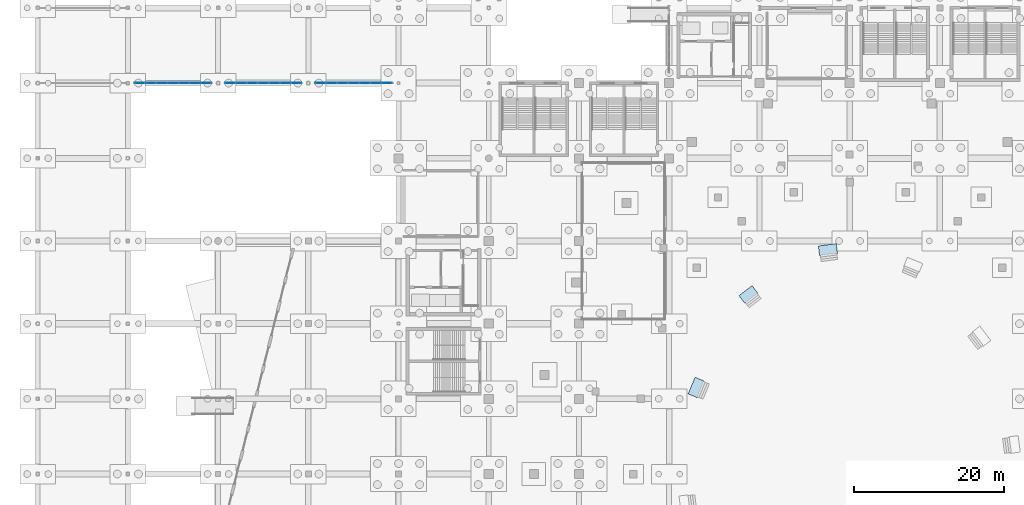
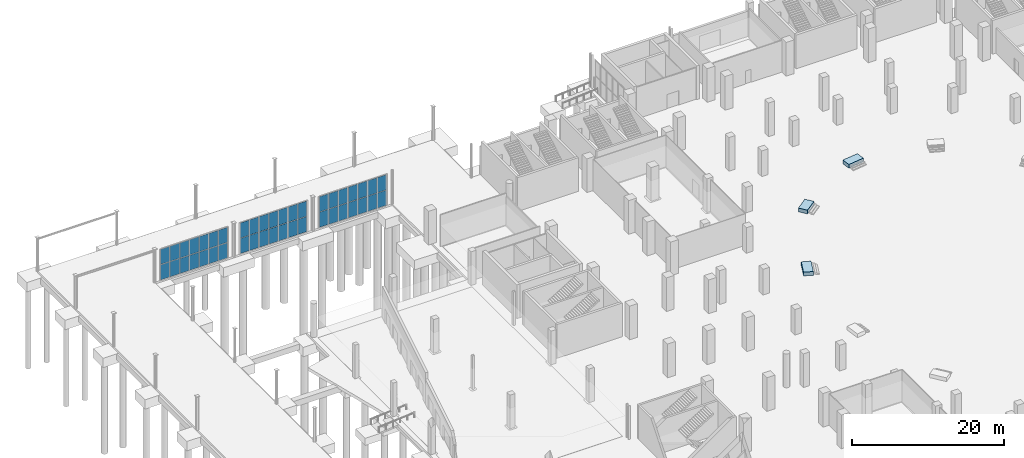
# One storey, part 42 of 70: 42 plates, 3 slabs, 3 elements without a shape of their own.
"""IFC4 building model written with IfcOpenShell, lengths in metres."""

from ifc_helpers import new_model, si_unit, direction, frame, origin, origin_2d, place, context, subcontext, project, spatial, polyline, rectangle, outline, extrude, material, layer, layer_set, type_object, element, aggregate, save


model = new_model("IFC4")

# Units and contexts
model_context = context("Model", 3, precision=1e-05, world=origin(), true_north=direction((0.0, 1.0)))
body_context = subcontext(model_context, "Body", "Model", "MODEL_VIEW")
ifc_project = project(units=[si_unit("LENGTHUNIT", "METRE"), si_unit("AREAUNIT", "SQUARE_METRE"), si_unit("VOLUMEUNIT", "CUBIC_METRE"), si_unit("PLANEANGLEUNIT", "RADIAN"), si_unit("MASSUNIT", "GRAM", prefix="KILO")], contexts=[model_context])

# Site, building, storey
site_placement = place(None, origin())
site = spatial("IfcSite", under=ifc_project, at=site_placement, CompositionType="ELEMENT")
building_placement = place(site_placement, origin())
building = spatial("IfcBuilding", under=site, at=building_placement, Name="Brinegate Civic Arena", CompositionType="ELEMENT")
storey_placement = place(building_placement, origin())
storey = spatial("IfcBuildingStorey", under=building, at=storey_placement, Name="L00", CompositionType="ELEMENT", Elevation=0.0)

# Curtain wall, plates
ifc_material_1 = material(Name="Marine grade aluminium", Category="aluminium")
ifc_layer_1 = layer(ifc_material_1, 0.215087890625, Name="Marine grade aluminium")
ifc_layer_set_1 = layer_set([ifc_layer_1], Name="Marine grade aluminium")
curtain_wall_type = type_object("IfcCurtainWallType", Name="CW-FOYER-GLAZED-02", PredefinedType="USERDEFINED", material=ifc_layer_set_1)
curtain_wall_1_placement = place(storey_placement, origin())
curtain_wall_1 = element("IfcCurtainWall", 1, at=curtain_wall_1_placement, inside=storey, type_object=curtain_wall_type, Name="Curtain Wall CWA-005", ObjectType="GLAZED CURTAIN WALL", PredefinedType="USERDEFINED")
ifc_material_2 = material(Name="Hurricane laminated low-E glass", Category="glass")
ifc_layer_2 = layer(ifc_material_2, 0.031982421875, Name="Hurricane laminated low-E glass")
ifc_layer_set_2 = layer_set([ifc_layer_2], Name="Hurricane laminated low-E glass")
plate_type_1 = type_object("IfcPlateType", Name="CW-PANEL-GLAZED-32", PredefinedType="CURTAIN_PANEL", material=ifc_layer_set_2)
plate_1_placement = place(storey_placement, frame((13.588134765625, 114.0, 0.074951171875), z_axis=(0.0, 0.0, 1.0), x_axis=(1.0, 0.0, 0.0)))
plate_1 = element("IfcPlate", 2, at=plate_1_placement, type_object=plate_type_1, Name="CWA-005 panel 1.1", PredefinedType="CURTAIN_PANEL", context=body_context, shape_type="SweptSolid", body=[
    extrude(rectangle(XDim=1.37255859375, YDim=0.031982421875, at=origin_2d()), origin(), (0.0, 0.0, 1.0), 2.41748046875),
])
plate_2_placement = place(storey_placement, frame((13.588134765625, 114.0, 2.567626953125), z_axis=(0.0, 0.0, 1.0), x_axis=(1.0, 0.0, 0.0)))
plate_2 = element("IfcPlate", 3, at=plate_2_placement, type_object=plate_type_1, Name="CWA-005 panel 1.2", PredefinedType="CURTAIN_PANEL", context=body_context, shape_type="SweptSolid", body=[
    extrude(rectangle(XDim=1.37255859375, YDim=0.031982421875, at=origin_2d()), origin(), (0.0, 0.0, 1.0), 2.41748046875),
])
plate_3_placement = place(storey_placement, frame((15.0419921875, 114.0, 0.074951171875), z_axis=(0.0, 0.0, 1.0), x_axis=(1.0, 0.0, 0.0)))
plate_3 = element("IfcPlate", 4, at=plate_3_placement, type_object=plate_type_1, Name="CWA-005 panel 2.1", PredefinedType="CURTAIN_PANEL", context=body_context, shape_type="SweptSolid", body=[
    extrude(rectangle(XDim=1.405029296875, YDim=0.031982421875, at=origin_2d()), origin(), (0.0, 0.0, 1.0), 2.41748046875),
])
plate_4_placement = place(storey_placement, frame((15.0419921875, 114.0, 2.567626953125), z_axis=(0.0, 0.0, 1.0), x_axis=(1.0, 0.0, 0.0)))
plate_4 = element("IfcPlate", 5, at=plate_4_placement, type_object=plate_type_1, Name="CWA-005 panel 2.2", PredefinedType="CURTAIN_PANEL", context=body_context, shape_type="SweptSolid", body=[
    extrude(rectangle(XDim=1.405029296875, YDim=0.031982421875, at=origin_2d()), origin(), (0.0, 0.0, 1.0), 2.41748046875),
])
plate_5_placement = place(storey_placement, frame((16.511962890625, 114.0, 0.074951171875), z_axis=(0.0, 0.0, 1.0), x_axis=(1.0, 0.0, 0.0)))
plate_5 = element("IfcPlate", 6, at=plate_5_placement, type_object=plate_type_1, Name="CWA-005 panel 3.1", PredefinedType="CURTAIN_PANEL", context=body_context, shape_type="SweptSolid", body=[
    extrude(rectangle(XDim=1.405029296875, YDim=0.031982421875, at=origin_2d()), origin(), (0.0, 0.0, 1.0), 2.41748046875),
])
plate_6_placement = place(storey_placement, frame((16.511962890625, 114.0, 2.567626953125), z_axis=(0.0, 0.0, 1.0), x_axis=(1.0, 0.0, 0.0)))
plate_6 = element("IfcPlate", 7, at=plate_6_placement, type_object=plate_type_1, Name="CWA-005 panel 3.2", PredefinedType="CURTAIN_PANEL", context=body_context, shape_type="SweptSolid", body=[
    extrude(rectangle(XDim=1.405029296875, YDim=0.031982421875, at=origin_2d()), origin(), (0.0, 0.0, 1.0), 2.41748046875),
])
plate_7_placement = place(storey_placement, frame((17.98193359375, 114.0, 0.074951171875), z_axis=(0.0, 0.0, 1.0), x_axis=(1.0, 0.0, 0.0)))
plate_7 = element("IfcPlate", 8, at=plate_7_placement, type_object=plate_type_1, Name="CWA-005 panel 4.1", PredefinedType="CURTAIN_PANEL", context=body_context, shape_type="SweptSolid", body=[
    extrude(rectangle(XDim=1.405029296875, YDim=0.031982421875, at=origin_2d()), origin(), (0.0, 0.0, 1.0), 2.41748046875),
])
plate_8_placement = place(storey_placement, frame((17.98193359375, 114.0, 2.567626953125), z_axis=(0.0, 0.0, 1.0), x_axis=(1.0, 0.0, 0.0)))
plate_8 = element("IfcPlate", 9, at=plate_8_placement, type_object=plate_type_1, Name="CWA-005 panel 4.2", PredefinedType="CURTAIN_PANEL", context=body_context, shape_type="SweptSolid", body=[
    extrude(rectangle(XDim=1.405029296875, YDim=0.031982421875, at=origin_2d()), origin(), (0.0, 0.0, 1.0), 2.41748046875),
])
plate_9_placement = place(storey_placement, frame((19.451904296875, 114.0, 0.074951171875), z_axis=(0.0, 0.0, 1.0), x_axis=(1.0, 0.0, 0.0)))
plate_9 = element("IfcPlate", 10, at=plate_9_placement, type_object=plate_type_1, Name="CWA-005 panel 5.1", PredefinedType="CURTAIN_PANEL", context=body_context, shape_type="SweptSolid", body=[
    extrude(rectangle(XDim=1.405029296875, YDim=0.031982421875, at=origin_2d()), origin(), (0.0, 0.0, 1.0), 2.41748046875),
])
plate_10_placement = place(storey_placement, frame((19.451904296875, 114.0, 2.567626953125), z_axis=(0.0, 0.0, 1.0), x_axis=(1.0, 0.0, 0.0)))
plate_10 = element("IfcPlate", 11, at=plate_10_placement, type_object=plate_type_1, Name="CWA-005 panel 5.2", PredefinedType="CURTAIN_PANEL", context=body_context, shape_type="SweptSolid", body=[
    extrude(rectangle(XDim=1.405029296875, YDim=0.031982421875, at=origin_2d()), origin(), (0.0, 0.0, 1.0), 2.41748046875),
])
plate_11_placement = place(storey_placement, frame((20.922119140625, 114.0, 0.074951171875), z_axis=(0.0, 0.0, 1.0), x_axis=(1.0, 0.0, 0.0)))
plate_11 = element("IfcPlate", 12, at=plate_11_placement, type_object=plate_type_1, Name="CWA-005 panel 6.1", PredefinedType="CURTAIN_PANEL", context=body_context, shape_type="SweptSolid", body=[
    extrude(rectangle(XDim=1.405029296875, YDim=0.031982421875, at=origin_2d()), origin(), (0.0, 0.0, 1.0), 2.41748046875),
])
plate_12_placement = place(storey_placement, frame((20.922119140625, 114.0, 2.567626953125), z_axis=(0.0, 0.0, 1.0), x_axis=(1.0, 0.0, 0.0)))
plate_12 = element("IfcPlate", 13, at=plate_12_placement, type_object=plate_type_1, Name="CWA-005 panel 6.2", PredefinedType="CURTAIN_PANEL", context=body_context, shape_type="SweptSolid", body=[
    extrude(rectangle(XDim=1.405029296875, YDim=0.031982421875, at=origin_2d()), origin(), (0.0, 0.0, 1.0), 2.41748046875),
])
plate_13_placement = place(storey_placement, frame((22.375732421875, 114.0, 0.074951171875), z_axis=(0.0, 0.0, 1.0), x_axis=(1.0, 0.0, 0.0)))
plate_13 = element("IfcPlate", 14, at=plate_13_placement, type_object=plate_type_1, Name="CWA-005 panel 7.1", PredefinedType="CURTAIN_PANEL", context=body_context, shape_type="SweptSolid", body=[
    extrude(rectangle(XDim=1.37255859375, YDim=0.031982421875, at=origin_2d()), origin(), (0.0, 0.0, 1.0), 2.41748046875),
])
plate_14_placement = place(storey_placement, frame((22.375732421875, 114.0, 2.567626953125), z_axis=(0.0, 0.0, 1.0), x_axis=(1.0, 0.0, 0.0)))
plate_14 = element("IfcPlate", 15, at=plate_14_placement, type_object=plate_type_1, Name="CWA-005 panel 7.2", PredefinedType="CURTAIN_PANEL", context=body_context, shape_type="SweptSolid", body=[
    extrude(rectangle(XDim=1.37255859375, YDim=0.031982421875, at=origin_2d()), origin(), (0.0, 0.0, 1.0), 2.41748046875),
])
aggregate(curtain_wall_1, [plate_1, plate_2, plate_3, plate_4, plate_5, plate_6, plate_7, plate_8, plate_9, plate_10, plate_11, plate_12, plate_13, plate_14])

curtain_wall_2_placement = place(storey_placement, origin())
curtain_wall_2 = element("IfcCurtainWall", 16, at=curtain_wall_2_placement, inside=storey, type_object=curtain_wall_type, Name="Curtain Wall CWA-006", ObjectType="GLAZED CURTAIN WALL", PredefinedType="USERDEFINED")
ifc_layer_3 = layer(ifc_material_2, 0.035888671875, Name="Hurricane laminated low-E glass")
ifc_layer_set_3 = layer_set([ifc_layer_3], Name="Hurricane laminated low-E glass")
plate_type_2 = type_object("IfcPlateType", Name="CW-PANEL-GLAZED-36", PredefinedType="CURTAIN_PANEL", material=ifc_layer_set_3)
plate_15_placement = place(storey_placement, frame((25.624267578125, 114.0, 0.06494140625), z_axis=(0.0, 0.0, 1.0), x_axis=(1.0, 0.0, 0.0)))
plate_15 = element("IfcPlate", 17, at=plate_15_placement, type_object=plate_type_2, Name="CWA-006 panel 1.1", PredefinedType="CURTAIN_PANEL", context=body_context, shape_type="SweptSolid", body=[
    extrude(rectangle(XDim=1.352294921875, YDim=0.035888671875, at=origin_2d()), origin(), (0.0, 0.0, 1.0), 2.4326171875),
])
plate_16_placement = place(storey_placement, frame((25.624267578125, 114.0, 2.5625), z_axis=(0.0, 0.0, 1.0), x_axis=(1.0, 0.0, 0.0)))
plate_16 = element("IfcPlate", 18, at=plate_16_placement, type_object=plate_type_2, Name="CWA-006 panel 1.2", PredefinedType="CURTAIN_PANEL", context=body_context, shape_type="SweptSolid", body=[
    extrude(rectangle(XDim=1.352294921875, YDim=0.035888671875, at=origin_2d()), origin(), (0.0, 0.0, 1.0), 2.4326171875),
])
plate_17_placement = place(storey_placement, frame((27.0703125, 114.0, 0.06494140625), z_axis=(0.0, 0.0, 1.0), x_axis=(1.0, 0.0, 0.0)))
plate_17 = element("IfcPlate", 19, at=plate_17_placement, type_object=plate_type_2, Name="CWA-006 panel 2.1", PredefinedType="CURTAIN_PANEL", context=body_context, shape_type="SweptSolid", body=[
    extrude(rectangle(XDim=1.389892578125, YDim=0.035888671875, at=origin_2d()), origin(), (0.0, 0.0, 1.0), 2.4326171875),
])
plate_18_placement = place(storey_placement, frame((27.0703125, 114.0, 2.5625), z_axis=(0.0, 0.0, 1.0), x_axis=(1.0, 0.0, 0.0)))
plate_18 = element("IfcPlate", 20, at=plate_18_placement, type_object=plate_type_2, Name="CWA-006 panel 2.2", PredefinedType="CURTAIN_PANEL", context=body_context, shape_type="SweptSolid", body=[
    extrude(rectangle(XDim=1.389892578125, YDim=0.035888671875, at=origin_2d()), origin(), (0.0, 0.0, 1.0), 2.4326171875),
])
plate_19_placement = place(storey_placement, frame((28.53515625, 114.0, 0.06494140625), z_axis=(0.0, 0.0, 1.0), x_axis=(1.0, 0.0, 0.0)))
plate_19 = element("IfcPlate", 21, at=plate_19_placement, type_object=plate_type_2, Name="CWA-006 panel 3.1", PredefinedType="CURTAIN_PANEL", context=body_context, shape_type="SweptSolid", body=[
    extrude(rectangle(XDim=1.389892578125, YDim=0.035888671875, at=origin_2d()), origin(), (0.0, 0.0, 1.0), 2.4326171875),
])
plate_20_placement = place(storey_placement, frame((28.53515625, 114.0, 2.5625), z_axis=(0.0, 0.0, 1.0), x_axis=(1.0, 0.0, 0.0)))
plate_20 = element("IfcPlate", 22, at=plate_20_placement, type_object=plate_type_2, Name="CWA-006 panel 3.2", PredefinedType="CURTAIN_PANEL", context=body_context, shape_type="SweptSolid", body=[
    extrude(rectangle(XDim=1.389892578125, YDim=0.035888671875, at=origin_2d()), origin(), (0.0, 0.0, 1.0), 2.4326171875),
])
plate_21_placement = place(storey_placement, frame((30.0, 114.0, 0.06494140625), z_axis=(0.0, 0.0, 1.0), x_axis=(1.0, 0.0, 0.0)))
plate_21 = element("IfcPlate", 23, at=plate_21_placement, type_object=plate_type_2, Name="CWA-006 panel 4.1", PredefinedType="CURTAIN_PANEL", context=body_context, shape_type="SweptSolid", body=[
    extrude(rectangle(XDim=1.389892578125, YDim=0.035888671875, at=origin_2d()), origin(), (0.0, 0.0, 1.0), 2.4326171875),
])
plate_22_placement = place(storey_placement, frame((30.0, 114.0, 2.5625), z_axis=(0.0, 0.0, 1.0), x_axis=(1.0, 0.0, 0.0)))
plate_22 = element("IfcPlate", 24, at=plate_22_placement, type_object=plate_type_2, Name="CWA-006 panel 4.2", PredefinedType="CURTAIN_PANEL", context=body_context, shape_type="SweptSolid", body=[
    extrude(rectangle(XDim=1.389892578125, YDim=0.035888671875, at=origin_2d()), origin(), (0.0, 0.0, 1.0), 2.4326171875),
])
plate_23_placement = place(storey_placement, frame((31.46484375, 114.0, 0.06494140625), z_axis=(0.0, 0.0, 1.0), x_axis=(1.0, 0.0, 0.0)))
plate_23 = element("IfcPlate", 25, at=plate_23_placement, type_object=plate_type_2, Name="CWA-006 panel 5.1", PredefinedType="CURTAIN_PANEL", context=body_context, shape_type="SweptSolid", body=[
    extrude(rectangle(XDim=1.389892578125, YDim=0.035888671875, at=origin_2d()), origin(), (0.0, 0.0, 1.0), 2.4326171875),
])
plate_24_placement = place(storey_placement, frame((31.46484375, 114.0, 2.5625), z_axis=(0.0, 0.0, 1.0), x_axis=(1.0, 0.0, 0.0)))
plate_24 = element("IfcPlate", 26, at=plate_24_placement, type_object=plate_type_2, Name="CWA-006 panel 5.2", PredefinedType="CURTAIN_PANEL", context=body_context, shape_type="SweptSolid", body=[
    extrude(rectangle(XDim=1.389892578125, YDim=0.035888671875, at=origin_2d()), origin(), (0.0, 0.0, 1.0), 2.4326171875),
])
plate_25_placement = place(storey_placement, frame((32.9296875, 114.0, 0.06494140625), z_axis=(0.0, 0.0, 1.0), x_axis=(1.0, 0.0, 0.0)))
plate_25 = element("IfcPlate", 27, at=plate_25_placement, type_object=plate_type_2, Name="CWA-006 panel 6.1", PredefinedType="CURTAIN_PANEL", context=body_context, shape_type="SweptSolid", body=[
    extrude(rectangle(XDim=1.389892578125, YDim=0.035888671875, at=origin_2d()), origin(), (0.0, 0.0, 1.0), 2.4326171875),
])
plate_26_placement = place(storey_placement, frame((32.9296875, 114.0, 2.5625), z_axis=(0.0, 0.0, 1.0), x_axis=(1.0, 0.0, 0.0)))
plate_26 = element("IfcPlate", 28, at=plate_26_placement, type_object=plate_type_2, Name="CWA-006 panel 6.2", PredefinedType="CURTAIN_PANEL", context=body_context, shape_type="SweptSolid", body=[
    extrude(rectangle(XDim=1.389892578125, YDim=0.035888671875, at=origin_2d()), origin(), (0.0, 0.0, 1.0), 2.4326171875),
])
plate_27_placement = place(storey_placement, frame((34.375732421875, 114.0, 0.06494140625), z_axis=(0.0, 0.0, 1.0), x_axis=(1.0, 0.0, 0.0)))
plate_27 = element("IfcPlate", 29, at=plate_27_placement, type_object=plate_type_2, Name="CWA-006 panel 7.1", PredefinedType="CURTAIN_PANEL", context=body_context, shape_type="SweptSolid", body=[
    extrude(rectangle(XDim=1.352294921875, YDim=0.035888671875, at=origin_2d()), origin(), (0.0, 0.0, 1.0), 2.4326171875),
])
plate_28_placement = place(storey_placement, frame((34.375732421875, 114.0, 2.5625), z_axis=(0.0, 0.0, 1.0), x_axis=(1.0, 0.0, 0.0)))
plate_28 = element("IfcPlate", 30, at=plate_28_placement, type_object=plate_type_2, Name="CWA-006 panel 7.2", PredefinedType="CURTAIN_PANEL", context=body_context, shape_type="SweptSolid", body=[
    extrude(rectangle(XDim=1.352294921875, YDim=0.035888671875, at=origin_2d()), origin(), (0.0, 0.0, 1.0), 2.4326171875),
])
aggregate(curtain_wall_2, [plate_15, plate_16, plate_17, plate_18, plate_19, plate_20, plate_21, plate_22, plate_23, plate_24, plate_25, plate_26, plate_27, plate_28])

curtain_wall_3_placement = place(storey_placement, origin())
curtain_wall_3 = element("IfcCurtainWall", 31, at=curtain_wall_3_placement, inside=storey, type_object=curtain_wall_type, Name="Curtain Wall CWA-007", ObjectType="GLAZED CURTAIN WALL", PredefinedType="USERDEFINED")
ifc_layer_4 = layer(ifc_material_2, 0.0419921875, Name="Hurricane laminated low-E glass")
ifc_layer_set_4 = layer_set([ifc_layer_4], Name="Hurricane laminated low-E glass")
plate_type_3 = type_object("IfcPlateType", Name="CW-PANEL-SPANDREL-42", PredefinedType="CURTAIN_PANEL", material=ifc_layer_set_4)
plate_29_placement = place(storey_placement, frame((37.630615234375, 114.0, 0.06494140625), z_axis=(0.0, 0.0, 1.0), x_axis=(1.0, 0.0, 0.0)))
plate_29 = element("IfcPlate", 32, at=plate_29_placement, type_object=plate_type_3, Name="CWA-007 panel 1.1", PredefinedType="CURTAIN_PANEL", context=body_context, shape_type="SweptSolid", body=[
    extrude(rectangle(XDim=1.35498046875, YDim=0.0419921875, at=origin_2d()), origin(), (0.0, 0.0, 1.0), 2.4326171875),
])
plate_30_placement = place(storey_placement, frame((37.630615234375, 114.0, 2.5625), z_axis=(0.0, 0.0, 1.0), x_axis=(1.0, 0.0, 0.0)))
plate_30 = element("IfcPlate", 33, at=plate_30_placement, type_object=plate_type_3, Name="CWA-007 panel 1.2", PredefinedType="CURTAIN_PANEL", context=body_context, shape_type="SweptSolid", body=[
    extrude(rectangle(XDim=1.35498046875, YDim=0.0419921875, at=origin_2d()), origin(), (0.0, 0.0, 1.0), 2.4326171875),
])
plate_31_placement = place(storey_placement, frame((39.08544921875, 114.0, 0.06494140625), z_axis=(0.0, 0.0, 1.0), x_axis=(1.0, 0.0, 0.0)))
plate_31 = element("IfcPlate", 34, at=plate_31_placement, type_object=plate_type_3, Name="CWA-007 panel 2.1", PredefinedType="CURTAIN_PANEL", context=body_context, shape_type="SweptSolid", body=[
    extrude(rectangle(XDim=1.39501953125, YDim=0.0419921875, at=origin_2d()), origin(), (0.0, 0.0, 1.0), 2.4326171875),
])
plate_32_placement = place(storey_placement, frame((39.08544921875, 114.0, 2.5625), z_axis=(0.0, 0.0, 1.0), x_axis=(1.0, 0.0, 0.0)))
plate_32 = element("IfcPlate", 35, at=plate_32_placement, type_object=plate_type_3, Name="CWA-007 panel 2.2", PredefinedType="CURTAIN_PANEL", context=body_context, shape_type="SweptSolid", body=[
    extrude(rectangle(XDim=1.39501953125, YDim=0.0419921875, at=origin_2d()), origin(), (0.0, 0.0, 1.0), 2.4326171875),
])
plate_33_placement = place(storey_placement, frame((40.560546875, 114.0, 0.06494140625), z_axis=(0.0, 0.0, 1.0), x_axis=(1.0, 0.0, 0.0)))
plate_33 = element("IfcPlate", 36, at=plate_33_placement, type_object=plate_type_3, Name="CWA-007 panel 3.1", PredefinedType="CURTAIN_PANEL", context=body_context, shape_type="SweptSolid", body=[
    extrude(rectangle(XDim=1.39501953125, YDim=0.0419921875, at=origin_2d()), origin(), (0.0, 0.0, 1.0), 2.4326171875),
])
plate_34_placement = place(storey_placement, frame((40.560546875, 114.0, 2.5625), z_axis=(0.0, 0.0, 1.0), x_axis=(1.0, 0.0, 0.0)))
plate_34 = element("IfcPlate", 37, at=plate_34_placement, type_object=plate_type_3, Name="CWA-007 panel 3.2", PredefinedType="CURTAIN_PANEL", context=body_context, shape_type="SweptSolid", body=[
    extrude(rectangle(XDim=1.39501953125, YDim=0.0419921875, at=origin_2d()), origin(), (0.0, 0.0, 1.0), 2.4326171875),
])
plate_35_placement = place(storey_placement, frame((42.035400390625, 114.0, 0.06494140625), z_axis=(0.0, 0.0, 1.0), x_axis=(1.0, 0.0, 0.0)))
plate_35 = element("IfcPlate", 38, at=plate_35_placement, type_object=plate_type_3, Name="CWA-007 panel 4.1", PredefinedType="CURTAIN_PANEL", context=body_context, shape_type="SweptSolid", body=[
    extrude(rectangle(XDim=1.39501953125, YDim=0.0419921875, at=origin_2d()), origin(), (0.0, 0.0, 1.0), 2.4326171875),
])
plate_36_placement = place(storey_placement, frame((42.035400390625, 114.0, 2.5625), z_axis=(0.0, 0.0, 1.0), x_axis=(1.0, 0.0, 0.0)))
plate_36 = element("IfcPlate", 39, at=plate_36_placement, type_object=plate_type_3, Name="CWA-007 panel 4.2", PredefinedType="CURTAIN_PANEL", context=body_context, shape_type="SweptSolid", body=[
    extrude(rectangle(XDim=1.39501953125, YDim=0.0419921875, at=origin_2d()), origin(), (0.0, 0.0, 1.0), 2.4326171875),
])
plate_37_placement = place(storey_placement, frame((43.510498046875, 114.0, 0.06494140625), z_axis=(0.0, 0.0, 1.0), x_axis=(1.0, 0.0, 0.0)))
plate_37 = element("IfcPlate", 40, at=plate_37_placement, type_object=plate_type_3, Name="CWA-007 panel 5.1", PredefinedType="CURTAIN_PANEL", context=body_context, shape_type="SweptSolid", body=[
    extrude(rectangle(XDim=1.39501953125, YDim=0.0419921875, at=origin_2d()), origin(), (0.0, 0.0, 1.0), 2.4326171875),
])
plate_38_placement = place(storey_placement, frame((43.510498046875, 114.0, 2.5625), z_axis=(0.0, 0.0, 1.0), x_axis=(1.0, 0.0, 0.0)))
plate_38 = element("IfcPlate", 41, at=plate_38_placement, type_object=plate_type_3, Name="CWA-007 panel 5.2", PredefinedType="CURTAIN_PANEL", context=body_context, shape_type="SweptSolid", body=[
    extrude(rectangle(XDim=1.39501953125, YDim=0.0419921875, at=origin_2d()), origin(), (0.0, 0.0, 1.0), 2.4326171875),
])
plate_39_placement = place(storey_placement, frame((44.985595703125, 114.0, 0.06494140625), z_axis=(0.0, 0.0, 1.0), x_axis=(1.0, 0.0, 0.0)))
plate_39 = element("IfcPlate", 42, at=plate_39_placement, type_object=plate_type_3, Name="CWA-007 panel 6.1", PredefinedType="CURTAIN_PANEL", context=body_context, shape_type="SweptSolid", body=[
    extrude(rectangle(XDim=1.39501953125, YDim=0.0419921875, at=origin_2d()), origin(), (0.0, 0.0, 1.0), 2.4326171875),
])
plate_40_placement = place(storey_placement, frame((44.985595703125, 114.0, 2.5625), z_axis=(0.0, 0.0, 1.0), x_axis=(1.0, 0.0, 0.0)))
plate_40 = element("IfcPlate", 43, at=plate_40_placement, type_object=plate_type_3, Name="CWA-007 panel 6.2", PredefinedType="CURTAIN_PANEL", context=body_context, shape_type="SweptSolid", body=[
    extrude(rectangle(XDim=1.39501953125, YDim=0.0419921875, at=origin_2d()), origin(), (0.0, 0.0, 1.0), 2.4326171875),
])
plate_41_placement = place(storey_placement, frame((46.4404296875, 114.0, 0.06494140625), z_axis=(0.0, 0.0, 1.0), x_axis=(1.0, 0.0, 0.0)))
plate_41 = element("IfcPlate", 44, at=plate_41_placement, type_object=plate_type_3, Name="CWA-007 panel 7.1", PredefinedType="CURTAIN_PANEL", context=body_context, shape_type="SweptSolid", body=[
    extrude(rectangle(XDim=1.35498046875, YDim=0.0419921875, at=origin_2d()), origin(), (0.0, 0.0, 1.0), 2.4326171875),
])
plate_42_placement = place(storey_placement, frame((46.4404296875, 114.0, 2.5625), z_axis=(0.0, 0.0, 1.0), x_axis=(1.0, 0.0, 0.0)))
plate_42 = element("IfcPlate", 45, at=plate_42_placement, type_object=plate_type_3, Name="CWA-007 panel 7.2", PredefinedType="CURTAIN_PANEL", context=body_context, shape_type="SweptSolid", body=[
    extrude(rectangle(XDim=1.35498046875, YDim=0.0419921875, at=origin_2d()), origin(), (0.0, 0.0, 1.0), 2.4326171875),
])
aggregate(curtain_wall_3, [plate_29, plate_30, plate_31, plate_32, plate_33, plate_34, plate_35, plate_36, plate_37, plate_38, plate_39, plate_40, plate_41, plate_42])

# Slabs
ifc_material_3 = material(Name="Concrete C40/50", Category="concrete")
ifc_layer_5 = layer(ifc_material_3, 0.60009765625, Name="Concrete C40/50")
ifc_layer_set_5 = layer_set([ifc_layer_5], Name="Concrete C40/50")
slab_type = type_object("IfcSlabType", Name="SLAB-LANDING-600", PredefinedType="LANDING", material=ifc_layer_set_5)
slab_1_placement = place(storey_placement, origin())
element("IfcSlab", 46, at=slab_1_placement, inside=storey, type_object=slab_type, Name="Vomitory Arrival Landing VS-04", PredefinedType="LANDING", context=body_context, shape_type="SweptSolid", body=[
    extrude(outline(polyline([(106.389892578125, 91.35400390625), (106.219970703125, 92.64306640625), (103.840087890625, 92.330078125), (104.010009765625, 91.041015625), (106.389892578125, 91.35400390625)])), origin(), (0.0, 0.0, 1.0), 0.60009765625),
])
slab_2_placement = place(storey_placement, origin())
element("IfcSlab", 47, at=slab_2_placement, inside=storey, type_object=slab_type, Name="Vomitory Arrival Landing VS-05", PredefinedType="LANDING", context=body_context, shape_type="SweptSolid", body=[
    extrude(outline(polyline([(95.81396484375, 86.033935546875), (95.02294921875, 87.06494140625), (93.278076171875, 85.72607421875), (94.069091796875, 84.695068359375), (95.81396484375, 86.033935546875)])), origin(), (0.0, 0.0, 1.0), 0.60009765625),
])
slab_3_placement = place(storey_placement, origin())
element("IfcSlab", 48, at=slab_3_placement, inside=storey, type_object=slab_type, Name="Vomitory Arrival Landing VS-06", PredefinedType="LANDING", context=body_context, shape_type="SweptSolid", body=[
    extrude(outline(polyline([(88.64208984375, 74.3779296875), (87.44091796875, 74.875), (86.52197265625, 72.657958984375), (87.722900390625, 72.160888671875), (88.64208984375, 74.3779296875)])), origin(), (0.0, 0.0, 1.0), 0.60009765625),
])

save(model, "model.ifc")
